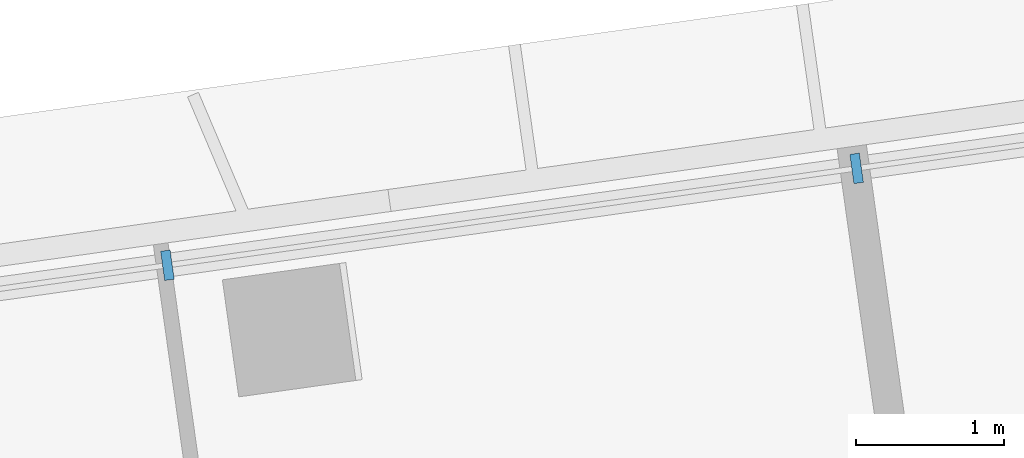
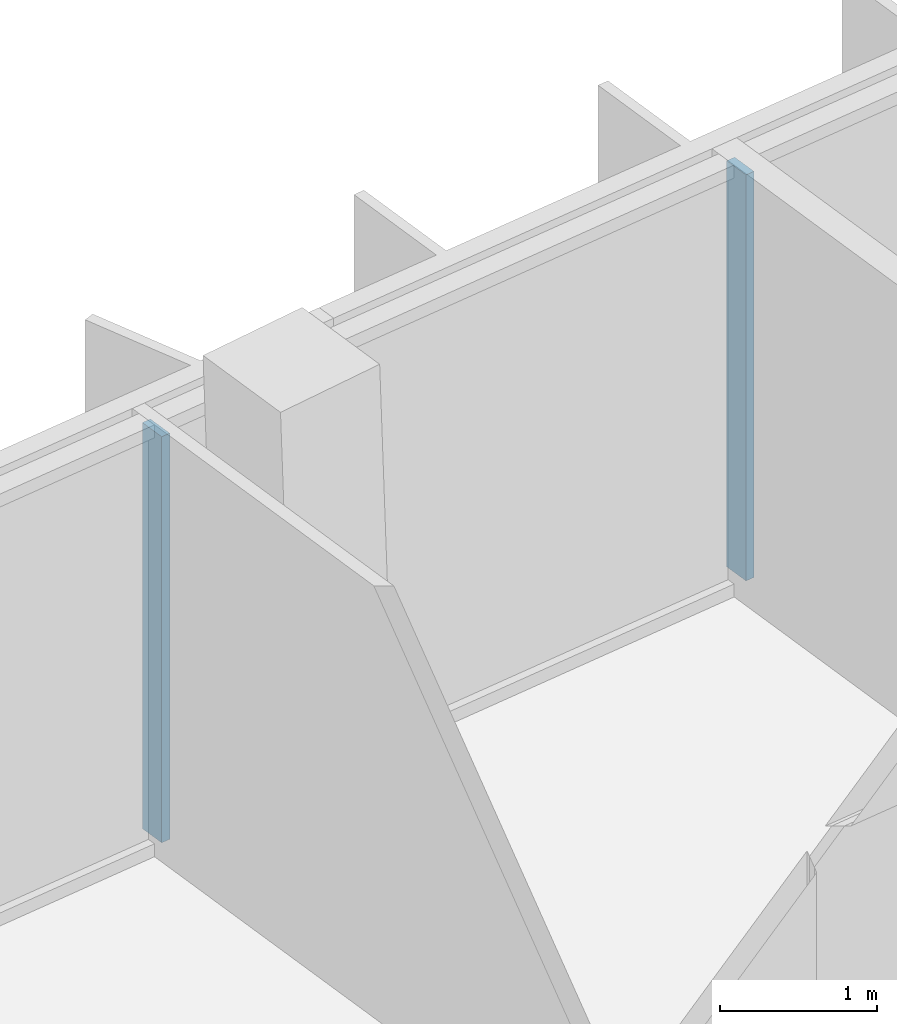
# One storey, part 9 of 23: 2 members, 1 element without a shape of its own.
"""IFC4 building model written with IfcOpenShell, lengths in metres."""

from ifc_helpers import new_model, si_unit, direction, frame, origin, origin_2d, place, context, subcontext, project, spatial, rectangle, extrude, material, material_profile, profile_set, type_object, element, aggregate, save


model = new_model("IFC4")

# Units and contexts
model_context = context("Model", 3, precision=1e-05, world=origin(), true_north=direction((0.0, 1.0)))
body_context = subcontext(model_context, "Body", "Model", "MODEL_VIEW")
ifc_project = project(units=[si_unit("LENGTHUNIT", "METRE"), si_unit("AREAUNIT", "SQUARE_METRE"), si_unit("VOLUMEUNIT", "CUBIC_METRE"), si_unit("PLANEANGLEUNIT", "RADIAN"), si_unit("MASSUNIT", "GRAM", prefix="KILO")], contexts=[model_context])

# Site, building, storey
site_placement = place(None, origin())
site = spatial("IfcSite", under=ifc_project, at=site_placement, CompositionType="ELEMENT")
building_placement = place(site_placement, origin())
building = spatial("IfcBuilding", under=site, at=building_placement, Name="Mirante Cascada Hotel Towers", CompositionType="ELEMENT")
storey_placement = place(building_placement, frame((0.0, 0.0, 195.4)))
storey = spatial("IfcBuildingStorey", under=building, at=storey_placement, Name="L46", CompositionType="ELEMENT", Elevation=195.4)

# Curtain wall, members
ifc_material_1 = material(Name="Aluminium mullion and transom frame with clear laminated glass", Category="aluminium")
curtain_wall_type = type_object("IfcCurtainWallType", Name="Ribbon curtain wall ECW1", PredefinedType="NOTDEFINED", material=ifc_material_1)
curtain_wall_placement = place(storey_placement, origin())
curtain_wall = element("IfcCurtainWall", 1, at=curtain_wall_placement, inside=storey, type_object=curtain_wall_type, Name="Front ribbon wall T2 L46", PredefinedType="NOTDEFINED")
ifc_material_2 = material(Name="Anodised aluminium extrusion", Category="aluminium")
ifc_material_profile = material_profile(ifc_material_2, rectangle(XDim=0.2, YDim=0.065, at=origin_2d()), Name="ECW1 MULLION 65x200")
ifc_profile_set = profile_set([ifc_material_profile], Name="Anodised aluminium extrusion")
member_type = type_object("IfcMemberType", Name="ECW1 mullion 65x200", PredefinedType="MULLION", material=ifc_profile_set)
member_1_placement = place(storey_placement, frame((48.3356, 19.6122, 0.1), z_axis=(0.0, 0.0, 1.0), x_axis=(0.1391731, -0.9902681, 0.0)))
member_1 = element("IfcMember", 2, at=member_1_placement, type_object=member_type, Name="ECW1 mullion 7", PredefinedType="MULLION", context=body_context, shape_type="SweptSolid", body=[
    extrude(rectangle(XDim=0.2, YDim=0.065, at=origin_2d()), origin(), (0.0, 0.0, 1.0), 3.15),
])
member_2_placement = place(storey_placement, frame((43.6693, 18.9563, 0.1), z_axis=(0.0, 0.0, 1.0), x_axis=(0.1391731, -0.9902681, 0.0)))
member_2 = element("IfcMember", 3, at=member_2_placement, type_object=member_type, Name="ECW1 mullion 8", PredefinedType="MULLION", context=body_context, shape_type="SweptSolid", body=[
    extrude(rectangle(XDim=0.2, YDim=0.065, at=origin_2d()), origin(), (0.0, 0.0, 1.0), 3.15),
])
aggregate(curtain_wall, [member_1, member_2])

save(model, "model.ifc")
